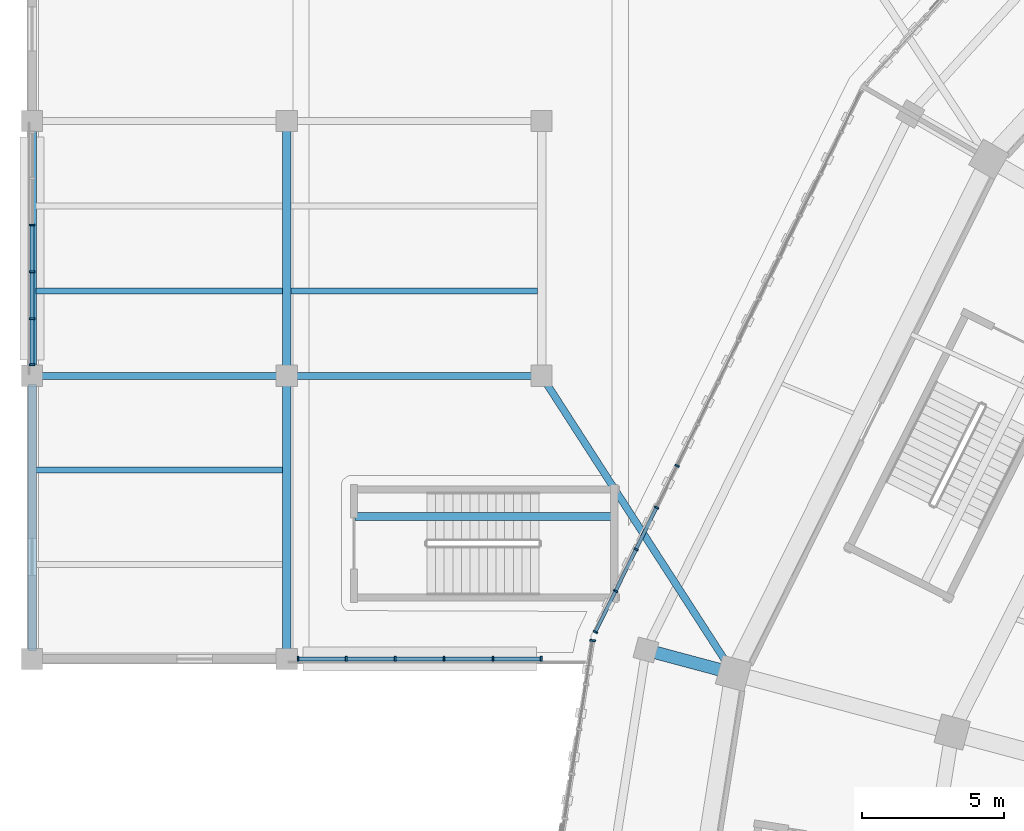
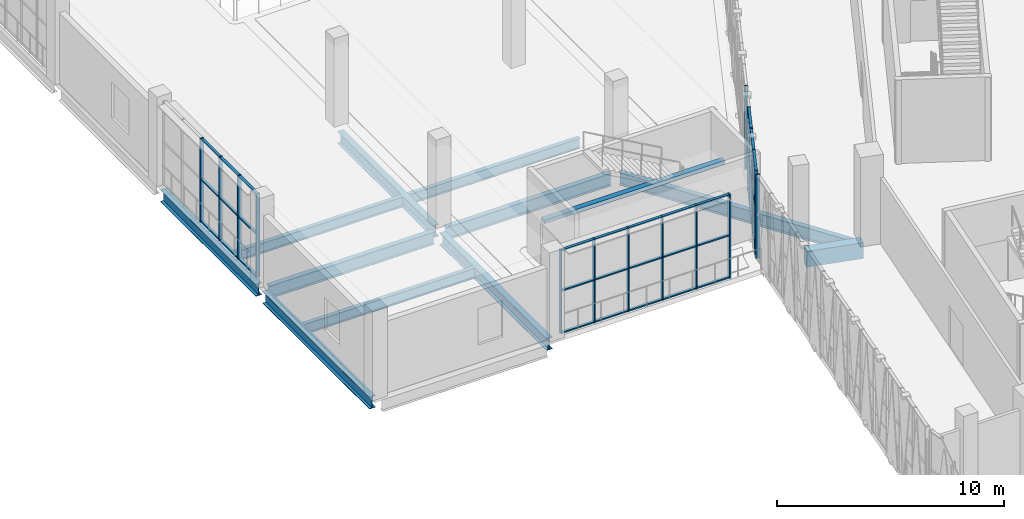
# One storey, part 23 of 179: 49 members, 12 beams, 4 elements without a shape of their own.
"""IFC4 building model written with IfcOpenShell, lengths in metres."""

from ifc_helpers import new_model, si_unit, direction, frame, origin, origin_2d, place, context, subcontext, project, spatial, rectangle, i_section, extrude, material, material_profile, profile_set, type_object, element, aggregate, save


model = new_model("IFC4")

# Units and contexts
model_context = context("Model", 3, precision=1e-05, world=origin(), true_north=direction((0.0, 1.0)))
body_context = subcontext(model_context, "Body", "Model", "MODEL_VIEW")
ifc_project = project(units=[si_unit("LENGTHUNIT", "METRE"), si_unit("AREAUNIT", "SQUARE_METRE"), si_unit("VOLUMEUNIT", "CUBIC_METRE"), si_unit("PLANEANGLEUNIT", "RADIAN"), si_unit("MASSUNIT", "GRAM", prefix="KILO")], contexts=[model_context])

# Site, building, storey
site_placement = place(None, origin())
site = spatial("IfcSite", under=ifc_project, at=site_placement, CompositionType="ELEMENT")
building_placement = place(site_placement, origin())
building = spatial("IfcBuilding", under=site, at=building_placement, Name="Zevraka Park Crest Stadium", CompositionType="ELEMENT")
storey_placement = place(building_placement, frame((0.0, 0.0, 10.199951171875)))
storey = spatial("IfcBuildingStorey", under=building, at=storey_placement, Name="L02", CompositionType="ELEMENT", Elevation=10.199951171875)

# Beams
ifc_material_1 = material(Name="Concrete C40/50", Category="concrete")
ifc_material_profile_1 = material_profile(ifc_material_1, rectangle(XDim=0.449951171875, YDim=0.85009765625, at=origin_2d()), Name="RC 850x450")
ifc_profile_set_1 = profile_set([ifc_material_profile_1], Name="Concrete C40/50")
beam_type_1 = type_object("IfcBeamType", Name="BG03", PredefinedType="BEAM", material=ifc_profile_set_1)
beam_1_placement = place(storey_placement, frame((24.487060546875, 111.56689453125, -0.43505859375), z_axis=(-0.965992888406, 0.258568636051, 0.0), x_axis=(-0.258568636051, -0.965992888406, 0.0)))
element("IfcBeam", 1, at=beam_1_placement, inside=storey, type_object=beam_type_1, Name="Radial Girder BG03 L02-DE-11", PredefinedType="BEAM", context=body_context, shape_type="SweptSolid", body=[
    extrude(rectangle(XDim=0.449951171875, YDim=0.85009765625, at=origin_2d()), origin(), (0.0, 0.0, 1.0), 2.599365234375),
])
ifc_material_2 = material(Name="Steel S355", Category="steel")
ifc_material_profile_2 = material_profile(ifc_material_2, i_section(OverallWidth=0.253662109375, OverallDepth=0.68359375, WebThickness=0.012451171875, FlangeThickness=0.01904296875, at=origin_2d()), Name="UKB 686x254x140")
ifc_profile_set_2 = profile_set([ifc_material_profile_2], Name="Steel S355")
beam_type_2 = type_object("IfcBeamType", Name="BG05", PredefinedType="BEAM", material=ifc_profile_set_2)
for number, where, z_axis, x_axis, name in (
    (2, (0.300048828125, 122.0, -0.629638671875), (1.0, 0.0, 0.0), (0.0, 1.0, 0.0), "Wing Girder BG05 L02-12/P"),
    (3, (9.300048828125, 122.0, -0.629638671875), (1.0, 0.0, 0.0), (0.0, 1.0, 0.0), "Wing Girder BG05 L02-23/P"),
):
    element("IfcBeam", number, at=place(storey_placement, frame(where, z_axis=z_axis, x_axis=x_axis)), inside=storey, type_object=beam_type_2, Name=name, PredefinedType="BEAM", context=body_context, shape_type="SweptSolid", body=[
        extrude(i_section(OverallWidth=0.253662109375, OverallDepth=0.68359375, WebThickness=0.012451171875, FlangeThickness=0.01904296875, at=origin_2d()), origin(), (0.0, 0.0, 1.0), 8.39990234375),
    ])
beam_2_placement = place(storey_placement, frame((18.10791015625, 121.83203125, -0.629638671875), z_axis=(0.541895124662, -0.840446115981, 0.0), x_axis=(0.840446115981, 0.541895124662, 0.0)))
element("IfcBeam", 4, at=beam_2_placement, inside=storey, type_object=beam_type_2, Name="Wing Link Girder BG05 L02-3/P", PredefinedType="BEAM", context=body_context, shape_type="SweptSolid", body=[
    extrude(i_section(OverallWidth=0.253662109375, OverallDepth=0.68359375, WebThickness=0.012451171875, FlangeThickness=0.01904296875, at=origin_2d()), origin(), (0.0, 0.0, 1.0), 11.927001953125),
])
ifc_material_3 = material(Name="Steel S355", Category="steel")
ifc_material_profile_3 = material_profile(ifc_material_3, i_section(OverallWidth=0.300048828125, OverallDepth=0.64990234375, WebThickness=0.01611328125, FlangeThickness=0.031005859375, at=origin_2d()), Name="HEB 650")
ifc_profile_set_3 = profile_set([ifc_material_profile_3], Name="Steel S355")
beam_type_3 = type_object("IfcBeamType", Name="BG07", PredefinedType="BEAM", material=ifc_profile_set_3)
beam_3_placement = place(storey_placement, frame((0.0, 112.300048828125, -0.613037109375), z_axis=(0.0, 1.0, 0.0), x_axis=(-1.0, 0.0, 0.0)))
element("IfcBeam", 5, at=beam_3_placement, inside=storey, type_object=beam_type_3, Name="Wing Girder BG07 L02-1/NP", PredefinedType="BEAM", context=body_context, shape_type="SweptSolid", body=[
    extrude(i_section(OverallWidth=0.300048828125, OverallDepth=0.64990234375, WebThickness=0.01611328125, FlangeThickness=0.031005859375, at=origin_2d()), origin(), (0.0, 0.0, 1.0), 9.39990234375),
])
beam_4_placement = place(storey_placement, frame((0.0, 122.300048828125, -0.613037109375), z_axis=(0.0, 1.0, 0.0), x_axis=(-1.0, 0.0, 0.0)))
element("IfcBeam", 6, at=beam_4_placement, inside=storey, type_object=beam_type_3, Name="Wing Girder BG07 L02-1/PQ", PredefinedType="BEAM", context=body_context, shape_type="SweptSolid", body=[
    extrude(i_section(OverallWidth=0.300048828125, OverallDepth=0.64990234375, WebThickness=0.01611328125, FlangeThickness=0.031005859375, at=origin_2d()), origin(), (0.0, 0.0, 1.0), 8.39990234375),
])
beam_5_placement = place(storey_placement, frame((9.0, 112.300048828125, -0.613037109375), z_axis=(0.0, 1.0, 0.0), x_axis=(-1.0, 0.0, 0.0)))
element("IfcBeam", 7, at=beam_5_placement, inside=storey, type_object=beam_type_3, Name="Wing Girder BG07 L02-2/NP", PredefinedType="BEAM", context=body_context, shape_type="SweptSolid", body=[
    extrude(i_section(OverallWidth=0.300048828125, OverallDepth=0.64990234375, WebThickness=0.01611328125, FlangeThickness=0.031005859375, at=origin_2d()), origin(), (0.0, 0.0, 1.0), 9.39990234375),
])
beam_6_placement = place(storey_placement, frame((9.0, 122.300048828125, -0.613037109375), z_axis=(0.0, 1.0, 0.0), x_axis=(-1.0, 0.0, 0.0)))
element("IfcBeam", 8, at=beam_6_placement, inside=storey, type_object=beam_type_3, Name="Wing Girder BG07 L02-2/PQ", PredefinedType="BEAM", context=body_context, shape_type="SweptSolid", body=[
    extrude(i_section(OverallWidth=0.300048828125, OverallDepth=0.64990234375, WebThickness=0.01611328125, FlangeThickness=0.031005859375, at=origin_2d()), origin(), (0.0, 0.0, 1.0), 8.39990234375),
])

# Curtain wall, members
ifc_material_4 = material(Name="Anodised architectural aluminium and laminated safety glass", Category="aluminium")
curtain_wall_type_1 = type_object("IfcCurtainWallType", Name="CW07", PredefinedType="NOTDEFINED", material=ifc_material_4)
curtain_wall_1_placement = place(storey_placement, origin())
curtain_wall_1 = element("IfcCurtainWall", 9, at=curtain_wall_1_placement, inside=storey, type_object=curtain_wall_type_1, Name="Unitised Ring Curtain Wall CW07 L02-10", PredefinedType="NOTDEFINED")
ifc_material_5 = material(Name="Anodised architectural aluminium", Category="aluminium")
ifc_material_profile_4 = material_profile(ifc_material_5, rectangle(XDim=0.159912109375, YDim=0.06005859375, at=origin_2d()), Name="ALU MULLION 160x60")
ifc_profile_set_4 = profile_set([ifc_material_profile_4], Name="Anodised architectural aluminium")
member_type_1 = type_object("IfcMemberType", Name="CM01", PredefinedType="MULLION", material=ifc_profile_set_4)
member_1_placement = place(storey_placement, frame((22.78564453125, 118.821533203125, 0.0), z_axis=(0.0, 0.0, 1.0), x_axis=(0.897496768201, -0.441021032455, 0.0)))
member_1 = element("IfcMember", 10, at=member_1_placement, type_object=member_type_1, Name="CW07 mullion 10", PredefinedType="MULLION", context=body_context, shape_type="SweptSolid", body=[
    extrude(rectangle(XDim=0.159912109375, YDim=0.06005859375, at=origin_2d()), origin(), (0.0, 0.0, 1.0), 4.5),
])
member_2_placement = place(storey_placement, frame((22.06103515625, 117.347412109375, 0.0), z_axis=(0.0, 0.0, 1.0), x_axis=(0.897496768201, -0.441021032455, 0.0)))
member_2 = element("IfcMember", 11, at=member_2_placement, type_object=member_type_1, Name="CW07 mullion 11", PredefinedType="MULLION", context=body_context, shape_type="SweptSolid", body=[
    extrude(rectangle(XDim=0.159912109375, YDim=0.06005859375, at=origin_2d()), origin(), (0.0, 0.0, 1.0), 4.5),
])
member_3_placement = place(storey_placement, frame((21.336669921875, 115.873291015625, 0.0), z_axis=(0.0, 0.0, 1.0), x_axis=(0.897496768201, -0.441021032455, 0.0)))
member_3 = element("IfcMember", 12, at=member_3_placement, type_object=member_type_1, Name="CW07 mullion 12", PredefinedType="MULLION", context=body_context, shape_type="SweptSolid", body=[
    extrude(rectangle(XDim=0.159912109375, YDim=0.06005859375, at=origin_2d()), origin(), (0.0, 0.0, 1.0), 4.5),
])
member_4_placement = place(storey_placement, frame((20.6123046875, 114.399169921875, 0.0), z_axis=(0.0, 0.0, 1.0), x_axis=(0.897496768201, -0.441021032455, 0.0)))
member_4 = element("IfcMember", 13, at=member_4_placement, type_object=member_type_1, Name="CW07 mullion 13", PredefinedType="MULLION", context=body_context, shape_type="SweptSolid", body=[
    extrude(rectangle(XDim=0.159912109375, YDim=0.06005859375, at=origin_2d()), origin(), (0.0, 0.0, 1.0), 4.5),
])
member_5_placement = place(storey_placement, frame((19.901123046875, 112.951904296875, 0.0), z_axis=(0.0, 0.0, 1.0), x_axis=(0.897496768201, -0.441021032455, 0.0)))
member_5 = element("IfcMember", 14, at=member_5_placement, type_object=member_type_1, Name="CW07 mullion 14", PredefinedType="MULLION", context=body_context, shape_type="SweptSolid", body=[
    extrude(rectangle(XDim=0.159912109375, YDim=0.06005859375, at=origin_2d()), origin(), (0.0, 0.0, 1.0), 4.5),
])

ifc_material_6 = material(Name="Anodised architectural aluminium and laminated safety glass", Category="aluminium")
curtain_wall_type_2 = type_object("IfcCurtainWallType", Name="CW29", PredefinedType="NOTDEFINED", material=ifc_material_6)
curtain_wall_2_placement = place(storey_placement, origin())
curtain_wall_2 = element("IfcCurtainWall", 15, at=curtain_wall_2_placement, inside=storey, type_object=curtain_wall_type_2, Name="Wing Curtain Wall CW29 L02-NW-W-2", PredefinedType="NOTDEFINED")
ifc_material_7 = material(Name="Anodised architectural aluminium", Category="aluminium")
ifc_material_profile_5 = material_profile(ifc_material_7, rectangle(XDim=0.179931640625, YDim=0.06494140625, at=origin_2d()), Name="ALU MULLION 180x65")
ifc_profile_set_5 = profile_set([ifc_material_profile_5], Name="Anodised architectural aluminium")
member_type_2 = type_object("IfcMemberType", Name="CM02", PredefinedType="MULLION", material=ifc_profile_set_5)
member_6_placement = place(storey_placement, frame((0.0, 122.3974609375, 0.0), z_axis=(0.0, 0.0, 1.0), x_axis=(-1.0, 0.0, 0.0)))
member_6 = element("IfcMember", 16, at=member_6_placement, type_object=member_type_2, Name="CW29 mullion 1", PredefinedType="MULLION", context=body_context, shape_type="SweptSolid", body=[
    extrude(rectangle(XDim=0.179931640625, YDim=0.06494140625, at=origin_2d()), origin(), (0.0, 0.0, 1.0), 4.5),
])
member_7_placement = place(storey_placement, frame((0.0, 124.01904296875, 0.0), z_axis=(0.0, 0.0, 1.0), x_axis=(-1.0, 0.0, 0.0)))
member_7 = element("IfcMember", 17, at=member_7_placement, type_object=member_type_2, Name="CW29 mullion 2", PredefinedType="MULLION", context=body_context, shape_type="SweptSolid", body=[
    extrude(rectangle(XDim=0.179931640625, YDim=0.06494140625, at=origin_2d()), origin(), (0.0, 0.0, 1.0), 4.5),
])
member_8_placement = place(storey_placement, frame((0.0, 125.673095703125, 0.0), z_axis=(0.0, 0.0, 1.0), x_axis=(-1.0, 0.0, 0.0)))
member_8 = element("IfcMember", 18, at=member_8_placement, type_object=member_type_2, Name="CW29 mullion 3", PredefinedType="MULLION", context=body_context, shape_type="SweptSolid", body=[
    extrude(rectangle(XDim=0.179931640625, YDim=0.06494140625, at=origin_2d()), origin(), (0.0, 0.0, 1.0), 4.5),
])
member_9_placement = place(storey_placement, frame((0.0, 127.326904296875, 0.0), z_axis=(0.0, 0.0, 1.0), x_axis=(-1.0, 0.0, 0.0)))
member_9 = element("IfcMember", 19, at=member_9_placement, type_object=member_type_2, Name="CW29 mullion 4", PredefinedType="MULLION", context=body_context, shape_type="SweptSolid", body=[
    extrude(rectangle(XDim=0.179931640625, YDim=0.06494140625, at=origin_2d()), origin(), (0.0, 0.0, 1.0), 4.5),
])

curtain_wall_3_placement = place(storey_placement, origin())
curtain_wall_3 = element("IfcCurtainWall", 20, at=curtain_wall_3_placement, inside=storey, type_object=curtain_wall_type_2, Name="Wing Curtain Wall CW29 L02-NW-S0-2", PredefinedType="NOTDEFINED")
member_10_placement = place(storey_placement, frame((17.982421875, 112.0, 0.0), z_axis=(0.0, 0.0, 1.0), x_axis=(0.0, -1.0, 0.0)))
member_10 = element("IfcMember", 21, at=member_10_placement, type_object=member_type_2, Name="CW29 mullion 1", PredefinedType="MULLION", context=body_context, shape_type="SweptSolid", body=[
    extrude(rectangle(XDim=0.179931640625, YDim=0.06494140625, at=origin_2d()), origin(), (0.0, 0.0, 1.0), 4.5),
])
member_11_placement = place(storey_placement, frame((16.284912109375, 112.0, 0.0), z_axis=(0.0, 0.0, 1.0), x_axis=(0.0, -1.0, 0.0)))
member_11 = element("IfcMember", 22, at=member_11_placement, type_object=member_type_2, Name="CW29 mullion 2", PredefinedType="MULLION", context=body_context, shape_type="SweptSolid", body=[
    extrude(rectangle(XDim=0.179931640625, YDim=0.06494140625, at=origin_2d()), origin(), (0.0, 0.0, 1.0), 4.5),
])
member_12_placement = place(storey_placement, frame((14.554931640625, 112.0, 0.0), z_axis=(0.0, 0.0, 1.0), x_axis=(0.0, -1.0, 0.0)))
member_12 = element("IfcMember", 23, at=member_12_placement, type_object=member_type_2, Name="CW29 mullion 3", PredefinedType="MULLION", context=body_context, shape_type="SweptSolid", body=[
    extrude(rectangle(XDim=0.179931640625, YDim=0.06494140625, at=origin_2d()), origin(), (0.0, 0.0, 1.0), 4.5),
])
member_13_placement = place(storey_placement, frame((12.824951171875, 112.0, 0.0), z_axis=(0.0, 0.0, 1.0), x_axis=(0.0, -1.0, 0.0)))
member_13 = element("IfcMember", 24, at=member_13_placement, type_object=member_type_2, Name="CW29 mullion 4", PredefinedType="MULLION", context=body_context, shape_type="SweptSolid", body=[
    extrude(rectangle(XDim=0.179931640625, YDim=0.06494140625, at=origin_2d()), origin(), (0.0, 0.0, 1.0), 4.5),
])
member_14_placement = place(storey_placement, frame((11.094970703125, 112.0, 0.0), z_axis=(0.0, 0.0, 1.0), x_axis=(0.0, -1.0, 0.0)))
member_14 = element("IfcMember", 25, at=member_14_placement, type_object=member_type_2, Name="CW29 mullion 5", PredefinedType="MULLION", context=body_context, shape_type="SweptSolid", body=[
    extrude(rectangle(XDim=0.179931640625, YDim=0.06494140625, at=origin_2d()), origin(), (0.0, 0.0, 1.0), 4.5),
])
member_15_placement = place(storey_placement, frame((9.3974609375, 112.0, 0.0), z_axis=(0.0, 0.0, 1.0), x_axis=(0.0, -1.0, 0.0)))
member_15 = element("IfcMember", 26, at=member_15_placement, type_object=member_type_2, Name="CW29 mullion 6", PredefinedType="MULLION", context=body_context, shape_type="SweptSolid", body=[
    extrude(rectangle(XDim=0.179931640625, YDim=0.06494140625, at=origin_2d()), origin(), (0.0, 0.0, 1.0), 4.5),
])

# Curtain wall, member
ifc_material_8 = material(Name="Anodised architectural aluminium and laminated safety glass", Category="aluminium")
curtain_wall_type_3 = type_object("IfcCurtainWallType", Name="CW06", PredefinedType="NOTDEFINED", material=ifc_material_8)
curtain_wall_4_placement = place(storey_placement, origin())
curtain_wall_4 = element("IfcCurtainWall", 27, at=curtain_wall_4_placement, inside=storey, type_object=curtain_wall_type_3, Name="Unitised Ring Curtain Wall CW06 L02-11", PredefinedType="NOTDEFINED")
ifc_material_9 = material(Name="Anodised architectural aluminium", Category="aluminium")
ifc_material_profile_6 = material_profile(ifc_material_9, rectangle(XDim=0.199951171875, YDim=0.070068359375, at=origin_2d()), Name="ALU MULLION 200x70")
ifc_profile_set_6 = profile_set([ifc_material_profile_6], Name="Anodised architectural aluminium")
member_type_3 = type_object("IfcMemberType", Name="CM03", PredefinedType="MULLION", material=ifc_profile_set_6)
member_16_placement = place(storey_placement, frame((19.8056640625, 112.6494140625, 0.0), z_axis=(0.0, 0.0, 1.0), x_axis=(0.988028063865, -0.154274252598, 0.0)))
member_16 = element("IfcMember", 28, at=member_16_placement, type_object=member_type_3, Name="CW06 mullion 1", PredefinedType="MULLION", context=body_context, shape_type="SweptSolid", body=[
    extrude(rectangle(XDim=0.199951171875, YDim=0.070068359375, at=origin_2d()), origin(), (0.0, 0.0, 1.0), 4.5),
])
aggregate(curtain_wall_4, [member_16])

# Member
ifc_material_10 = material(Name="Anodised architectural aluminium", Category="aluminium")
ifc_material_profile_7 = material_profile(ifc_material_10, rectangle(XDim=0.1201171875, YDim=0.06005859375, at=origin_2d()), Name="ALU TRANSOM 120x60")
ifc_profile_set_7 = profile_set([ifc_material_profile_7], Name="Anodised architectural aluminium")
member_type_4 = type_object("IfcMemberType", Name="CT01", PredefinedType="USERDEFINED", material=ifc_profile_set_7)
member_17_placement = place(storey_placement, frame((22.0478515625, 117.320556640625, 0.030029296875), z_axis=(-0.440908240413, -0.897552184297, 0.0), x_axis=(0.897552184297, -0.440908240413, 0.0)))
member_17 = element("IfcMember", 29, at=member_17_placement, type_object=member_type_4, Name="CW07 transom 11.1", ObjectType="TRANSOM", PredefinedType="USERDEFINED", context=body_context, shape_type="SweptSolid", body=[
    extrude(rectangle(XDim=0.1201171875, YDim=0.06005859375, at=origin_2d()), origin(), (0.0, 0.0, 1.0), 1.58251953125),
])

member_18_placement = place(storey_placement, frame((22.0478515625, 117.320556640625, 2.400146484375), z_axis=(-0.440908240413, -0.897552184297, 0.0), x_axis=(0.897552184297, -0.440908240413, 0.0)))
member_18 = element("IfcMember", 30, at=member_18_placement, type_object=member_type_4, Name="CW07 transom 11.2", ObjectType="TRANSOM", PredefinedType="USERDEFINED", context=body_context, shape_type="SweptSolid", body=[
    extrude(rectangle(XDim=0.1201171875, YDim=0.06005859375, at=origin_2d()), origin(), (0.0, 0.0, 1.0), 1.58251953125),
])

member_19_placement = place(storey_placement, frame((22.0478515625, 117.320556640625, 4.469970703125), z_axis=(-0.440908240413, -0.897552184297, 0.0), x_axis=(0.897552184297, -0.440908240413, 0.0)))
member_19 = element("IfcMember", 31, at=member_19_placement, type_object=member_type_4, Name="CW07 transom 11.3", ObjectType="TRANSOM", PredefinedType="USERDEFINED", context=body_context, shape_type="SweptSolid", body=[
    extrude(rectangle(XDim=0.1201171875, YDim=0.06005859375, at=origin_2d()), origin(), (0.0, 0.0, 1.0), 1.58251953125),
])

member_20_placement = place(storey_placement, frame((21.323486328125, 115.846435546875, 0.030029296875), z_axis=(-0.440908240413, -0.897552184297, 0.0), x_axis=(0.897552184297, -0.440908240413, 0.0)))
member_20 = element("IfcMember", 32, at=member_20_placement, type_object=member_type_4, Name="CW07 transom 12.1", ObjectType="TRANSOM", PredefinedType="USERDEFINED", context=body_context, shape_type="SweptSolid", body=[
    extrude(rectangle(XDim=0.1201171875, YDim=0.06005859375, at=origin_2d()), origin(), (0.0, 0.0, 1.0), 1.58251953125),
])

member_21_placement = place(storey_placement, frame((21.323486328125, 115.846435546875, 2.400146484375), z_axis=(-0.440908240413, -0.897552184297, 0.0), x_axis=(0.897552184297, -0.440908240413, 0.0)))
member_21 = element("IfcMember", 33, at=member_21_placement, type_object=member_type_4, Name="CW07 transom 12.2", ObjectType="TRANSOM", PredefinedType="USERDEFINED", context=body_context, shape_type="SweptSolid", body=[
    extrude(rectangle(XDim=0.1201171875, YDim=0.06005859375, at=origin_2d()), origin(), (0.0, 0.0, 1.0), 1.58251953125),
])

member_22_placement = place(storey_placement, frame((21.323486328125, 115.846435546875, 4.469970703125), z_axis=(-0.440908240413, -0.897552184297, 0.0), x_axis=(0.897552184297, -0.440908240413, 0.0)))
member_22 = element("IfcMember", 34, at=member_22_placement, type_object=member_type_4, Name="CW07 transom 12.3", ObjectType="TRANSOM", PredefinedType="USERDEFINED", context=body_context, shape_type="SweptSolid", body=[
    extrude(rectangle(XDim=0.1201171875, YDim=0.06005859375, at=origin_2d()), origin(), (0.0, 0.0, 1.0), 1.58251953125),
])

member_23_placement = place(storey_placement, frame((20.59912109375, 114.372314453125, 0.030029296875), z_axis=(-0.440912769213, -0.897549959582, 0.0), x_axis=(0.897549959582, -0.440912769213, 0.0)))
member_23 = element("IfcMember", 35, at=member_23_placement, type_object=member_type_4, Name="CW07 transom 13.1", ObjectType="TRANSOM", PredefinedType="USERDEFINED", context=body_context, shape_type="SweptSolid", body=[
    extrude(rectangle(XDim=0.1201171875, YDim=0.06005859375, at=origin_2d()), origin(), (0.0, 0.0, 1.0), 1.552734375),
])

member_24_placement = place(storey_placement, frame((20.59912109375, 114.372314453125, 2.400146484375), z_axis=(-0.440912769213, -0.897549959582, 0.0), x_axis=(0.897549959582, -0.440912769213, 0.0)))
member_24 = element("IfcMember", 36, at=member_24_placement, type_object=member_type_4, Name="CW07 transom 13.2", ObjectType="TRANSOM", PredefinedType="USERDEFINED", context=body_context, shape_type="SweptSolid", body=[
    extrude(rectangle(XDim=0.1201171875, YDim=0.06005859375, at=origin_2d()), origin(), (0.0, 0.0, 1.0), 1.552734375),
])

member_25_placement = place(storey_placement, frame((20.59912109375, 114.372314453125, 4.469970703125), z_axis=(-0.440912769213, -0.897549959582, 0.0), x_axis=(0.897549959582, -0.440912769213, 0.0)))
member_25 = element("IfcMember", 37, at=member_25_placement, type_object=member_type_4, Name="CW07 transom 13.3", ObjectType="TRANSOM", PredefinedType="USERDEFINED", context=body_context, shape_type="SweptSolid", body=[
    extrude(rectangle(XDim=0.1201171875, YDim=0.06005859375, at=origin_2d()), origin(), (0.0, 0.0, 1.0), 1.552734375),
])

aggregate(curtain_wall_1, [member_1, member_2, member_3, member_4, member_5, member_17, member_18, member_19, member_20, member_21, member_22, member_23, member_24, member_25])

ifc_material_11 = material(Name="Anodised architectural aluminium", Category="aluminium")
ifc_material_profile_8 = material_profile(ifc_material_11, rectangle(XDim=0.139892578125, YDim=0.06494140625, at=origin_2d()), Name="ALU TRANSOM 140x65")
ifc_profile_set_8 = profile_set([ifc_material_profile_8], Name="Anodised architectural aluminium")
member_type_5 = type_object("IfcMemberType", Name="CT02", PredefinedType="USERDEFINED", material=ifc_profile_set_8)
member_26_placement = place(storey_placement, frame((0.0, 122.429931640625, 0.032470703125), z_axis=(0.0, 1.0, 0.0), x_axis=(-1.0, 0.0, 0.0)))
member_26 = element("IfcMember", 38, at=member_26_placement, type_object=member_type_5, Name="CW29 transom 1.1", ObjectType="TRANSOM", PredefinedType="USERDEFINED", context=body_context, shape_type="SweptSolid", body=[
    extrude(rectangle(XDim=0.139892578125, YDim=0.06494140625, at=origin_2d()), origin(), (0.0, 0.0, 1.0), 1.556640625),
])

member_27_placement = place(storey_placement, frame((0.0, 122.429931640625, 2.300048828125), z_axis=(0.0, 1.0, 0.0), x_axis=(-1.0, 0.0, 0.0)))
member_27 = element("IfcMember", 39, at=member_27_placement, type_object=member_type_5, Name="CW29 transom 1.2", ObjectType="TRANSOM", PredefinedType="USERDEFINED", context=body_context, shape_type="SweptSolid", body=[
    extrude(rectangle(XDim=0.139892578125, YDim=0.06494140625, at=origin_2d()), origin(), (0.0, 0.0, 1.0), 1.556640625),
])

member_28_placement = place(storey_placement, frame((0.0, 122.429931640625, 4.467529296875), z_axis=(0.0, 1.0, 0.0), x_axis=(-1.0, 0.0, 0.0)))
member_28 = element("IfcMember", 40, at=member_28_placement, type_object=member_type_5, Name="CW29 transom 1.3", ObjectType="TRANSOM", PredefinedType="USERDEFINED", context=body_context, shape_type="SweptSolid", body=[
    extrude(rectangle(XDim=0.139892578125, YDim=0.06494140625, at=origin_2d()), origin(), (0.0, 0.0, 1.0), 1.556640625),
])

member_29_placement = place(storey_placement, frame((0.0, 124.051513671875, 0.032470703125), z_axis=(0.0, 1.0, 0.0), x_axis=(-1.0, 0.0, 0.0)))
member_29 = element("IfcMember", 41, at=member_29_placement, type_object=member_type_5, Name="CW29 transom 2.1", ObjectType="TRANSOM", PredefinedType="USERDEFINED", context=body_context, shape_type="SweptSolid", body=[
    extrude(rectangle(XDim=0.139892578125, YDim=0.06494140625, at=origin_2d()), origin(), (0.0, 0.0, 1.0), 1.5888671875),
])

member_30_placement = place(storey_placement, frame((0.0, 124.051513671875, 2.300048828125), z_axis=(0.0, 1.0, 0.0), x_axis=(-1.0, 0.0, 0.0)))
member_30 = element("IfcMember", 42, at=member_30_placement, type_object=member_type_5, Name="CW29 transom 2.2", ObjectType="TRANSOM", PredefinedType="USERDEFINED", context=body_context, shape_type="SweptSolid", body=[
    extrude(rectangle(XDim=0.139892578125, YDim=0.06494140625, at=origin_2d()), origin(), (0.0, 0.0, 1.0), 1.5888671875),
])

member_31_placement = place(storey_placement, frame((0.0, 124.051513671875, 4.467529296875), z_axis=(0.0, 1.0, 0.0), x_axis=(-1.0, 0.0, 0.0)))
member_31 = element("IfcMember", 43, at=member_31_placement, type_object=member_type_5, Name="CW29 transom 2.3", ObjectType="TRANSOM", PredefinedType="USERDEFINED", context=body_context, shape_type="SweptSolid", body=[
    extrude(rectangle(XDim=0.139892578125, YDim=0.06494140625, at=origin_2d()), origin(), (0.0, 0.0, 1.0), 1.5888671875),
])

member_32_placement = place(storey_placement, frame((0.0, 125.70556640625, 0.032470703125), z_axis=(0.0, 1.0, 0.0), x_axis=(-1.0, 0.0, 0.0)))
member_32 = element("IfcMember", 44, at=member_32_placement, type_object=member_type_5, Name="CW29 transom 3.1", ObjectType="TRANSOM", PredefinedType="USERDEFINED", context=body_context, shape_type="SweptSolid", body=[
    extrude(rectangle(XDim=0.139892578125, YDim=0.06494140625, at=origin_2d()), origin(), (0.0, 0.0, 1.0), 1.5888671875),
])

member_33_placement = place(storey_placement, frame((0.0, 125.70556640625, 2.300048828125), z_axis=(0.0, 1.0, 0.0), x_axis=(-1.0, 0.0, 0.0)))
member_33 = element("IfcMember", 45, at=member_33_placement, type_object=member_type_5, Name="CW29 transom 3.2", ObjectType="TRANSOM", PredefinedType="USERDEFINED", context=body_context, shape_type="SweptSolid", body=[
    extrude(rectangle(XDim=0.139892578125, YDim=0.06494140625, at=origin_2d()), origin(), (0.0, 0.0, 1.0), 1.5888671875),
])

member_34_placement = place(storey_placement, frame((0.0, 125.70556640625, 4.467529296875), z_axis=(0.0, 1.0, 0.0), x_axis=(-1.0, 0.0, 0.0)))
member_34 = element("IfcMember", 46, at=member_34_placement, type_object=member_type_5, Name="CW29 transom 3.3", ObjectType="TRANSOM", PredefinedType="USERDEFINED", context=body_context, shape_type="SweptSolid", body=[
    extrude(rectangle(XDim=0.139892578125, YDim=0.06494140625, at=origin_2d()), origin(), (0.0, 0.0, 1.0), 1.5888671875),
])

aggregate(curtain_wall_2, [member_6, member_7, member_8, member_9, member_26, member_27, member_28, member_29, member_30, member_31, member_32, member_33, member_34])

member_35_placement = place(storey_placement, frame((17.949951171875, 112.0, 0.032470703125), z_axis=(-1.0, 0.0, 0.0), x_axis=(0.0, -1.0, 0.0)))
member_35 = element("IfcMember", 47, at=member_35_placement, type_object=member_type_5, Name="CW29 transom 1.1", ObjectType="TRANSOM", PredefinedType="USERDEFINED", context=body_context, shape_type="SweptSolid", body=[
    extrude(rectangle(XDim=0.139892578125, YDim=0.06494140625, at=origin_2d()), origin(), (0.0, 0.0, 1.0), 1.632568359375),
])

member_36_placement = place(storey_placement, frame((17.949951171875, 112.0, 2.300048828125), z_axis=(-1.0, 0.0, 0.0), x_axis=(0.0, -1.0, 0.0)))
member_36 = element("IfcMember", 48, at=member_36_placement, type_object=member_type_5, Name="CW29 transom 1.2", ObjectType="TRANSOM", PredefinedType="USERDEFINED", context=body_context, shape_type="SweptSolid", body=[
    extrude(rectangle(XDim=0.139892578125, YDim=0.06494140625, at=origin_2d()), origin(), (0.0, 0.0, 1.0), 1.632568359375),
])

member_37_placement = place(storey_placement, frame((17.949951171875, 112.0, 4.467529296875), z_axis=(-1.0, 0.0, 0.0), x_axis=(0.0, -1.0, 0.0)))
member_37 = element("IfcMember", 49, at=member_37_placement, type_object=member_type_5, Name="CW29 transom 1.3", ObjectType="TRANSOM", PredefinedType="USERDEFINED", context=body_context, shape_type="SweptSolid", body=[
    extrude(rectangle(XDim=0.139892578125, YDim=0.06494140625, at=origin_2d()), origin(), (0.0, 0.0, 1.0), 1.632568359375),
])

member_38_placement = place(storey_placement, frame((16.25244140625, 112.0, 0.032470703125), z_axis=(-1.0, 0.0, 0.0), x_axis=(0.0, -1.0, 0.0)))
member_38 = element("IfcMember", 50, at=member_38_placement, type_object=member_type_5, Name="CW29 transom 2.1", ObjectType="TRANSOM", PredefinedType="USERDEFINED", context=body_context, shape_type="SweptSolid", body=[
    extrude(rectangle(XDim=0.139892578125, YDim=0.06494140625, at=origin_2d()), origin(), (0.0, 0.0, 1.0), 1.6650390625),
])

member_39_placement = place(storey_placement, frame((16.25244140625, 112.0, 2.300048828125), z_axis=(-1.0, 0.0, 0.0), x_axis=(0.0, -1.0, 0.0)))
member_39 = element("IfcMember", 51, at=member_39_placement, type_object=member_type_5, Name="CW29 transom 2.2", ObjectType="TRANSOM", PredefinedType="USERDEFINED", context=body_context, shape_type="SweptSolid", body=[
    extrude(rectangle(XDim=0.139892578125, YDim=0.06494140625, at=origin_2d()), origin(), (0.0, 0.0, 1.0), 1.6650390625),
])

member_40_placement = place(storey_placement, frame((16.25244140625, 112.0, 4.467529296875), z_axis=(-1.0, 0.0, 0.0), x_axis=(0.0, -1.0, 0.0)))
member_40 = element("IfcMember", 52, at=member_40_placement, type_object=member_type_5, Name="CW29 transom 2.3", ObjectType="TRANSOM", PredefinedType="USERDEFINED", context=body_context, shape_type="SweptSolid", body=[
    extrude(rectangle(XDim=0.139892578125, YDim=0.06494140625, at=origin_2d()), origin(), (0.0, 0.0, 1.0), 1.6650390625),
])

member_41_placement = place(storey_placement, frame((14.5224609375, 112.0, 0.032470703125), z_axis=(-1.0, 0.0, 0.0), x_axis=(0.0, -1.0, 0.0)))
member_41 = element("IfcMember", 53, at=member_41_placement, type_object=member_type_5, Name="CW29 transom 3.1", ObjectType="TRANSOM", PredefinedType="USERDEFINED", context=body_context, shape_type="SweptSolid", body=[
    extrude(rectangle(XDim=0.139892578125, YDim=0.06494140625, at=origin_2d()), origin(), (0.0, 0.0, 1.0), 1.6650390625),
])

member_42_placement = place(storey_placement, frame((14.5224609375, 112.0, 2.300048828125), z_axis=(-1.0, 0.0, 0.0), x_axis=(0.0, -1.0, 0.0)))
member_42 = element("IfcMember", 54, at=member_42_placement, type_object=member_type_5, Name="CW29 transom 3.2", ObjectType="TRANSOM", PredefinedType="USERDEFINED", context=body_context, shape_type="SweptSolid", body=[
    extrude(rectangle(XDim=0.139892578125, YDim=0.06494140625, at=origin_2d()), origin(), (0.0, 0.0, 1.0), 1.6650390625),
])

member_43_placement = place(storey_placement, frame((14.5224609375, 112.0, 4.467529296875), z_axis=(-1.0, 0.0, 0.0), x_axis=(0.0, -1.0, 0.0)))
member_43 = element("IfcMember", 55, at=member_43_placement, type_object=member_type_5, Name="CW29 transom 3.3", ObjectType="TRANSOM", PredefinedType="USERDEFINED", context=body_context, shape_type="SweptSolid", body=[
    extrude(rectangle(XDim=0.139892578125, YDim=0.06494140625, at=origin_2d()), origin(), (0.0, 0.0, 1.0), 1.6650390625),
])

member_44_placement = place(storey_placement, frame((12.79248046875, 112.0, 0.032470703125), z_axis=(-1.0, 0.0, 0.0), x_axis=(0.0, -1.0, 0.0)))
member_44 = element("IfcMember", 56, at=member_44_placement, type_object=member_type_5, Name="CW29 transom 4.1", ObjectType="TRANSOM", PredefinedType="USERDEFINED", context=body_context, shape_type="SweptSolid", body=[
    extrude(rectangle(XDim=0.139892578125, YDim=0.06494140625, at=origin_2d()), origin(), (0.0, 0.0, 1.0), 1.6650390625),
])

member_45_placement = place(storey_placement, frame((12.79248046875, 112.0, 2.300048828125), z_axis=(-1.0, 0.0, 0.0), x_axis=(0.0, -1.0, 0.0)))
member_45 = element("IfcMember", 57, at=member_45_placement, type_object=member_type_5, Name="CW29 transom 4.2", ObjectType="TRANSOM", PredefinedType="USERDEFINED", context=body_context, shape_type="SweptSolid", body=[
    extrude(rectangle(XDim=0.139892578125, YDim=0.06494140625, at=origin_2d()), origin(), (0.0, 0.0, 1.0), 1.6650390625),
])

member_46_placement = place(storey_placement, frame((12.79248046875, 112.0, 4.467529296875), z_axis=(-1.0, 0.0, 0.0), x_axis=(0.0, -1.0, 0.0)))
member_46 = element("IfcMember", 58, at=member_46_placement, type_object=member_type_5, Name="CW29 transom 4.3", ObjectType="TRANSOM", PredefinedType="USERDEFINED", context=body_context, shape_type="SweptSolid", body=[
    extrude(rectangle(XDim=0.139892578125, YDim=0.06494140625, at=origin_2d()), origin(), (0.0, 0.0, 1.0), 1.6650390625),
])

member_47_placement = place(storey_placement, frame((11.0625, 112.0, 0.032470703125), z_axis=(-1.0, 0.0, 0.0), x_axis=(0.0, -1.0, 0.0)))
member_47 = element("IfcMember", 59, at=member_47_placement, type_object=member_type_5, Name="CW29 transom 5.1", ObjectType="TRANSOM", PredefinedType="USERDEFINED", context=body_context, shape_type="SweptSolid", body=[
    extrude(rectangle(XDim=0.139892578125, YDim=0.06494140625, at=origin_2d()), origin(), (0.0, 0.0, 1.0), 1.632568359375),
])

member_48_placement = place(storey_placement, frame((11.0625, 112.0, 2.300048828125), z_axis=(-1.0, 0.0, 0.0), x_axis=(0.0, -1.0, 0.0)))
member_48 = element("IfcMember", 60, at=member_48_placement, type_object=member_type_5, Name="CW29 transom 5.2", ObjectType="TRANSOM", PredefinedType="USERDEFINED", context=body_context, shape_type="SweptSolid", body=[
    extrude(rectangle(XDim=0.139892578125, YDim=0.06494140625, at=origin_2d()), origin(), (0.0, 0.0, 1.0), 1.632568359375),
])

member_49_placement = place(storey_placement, frame((11.0625, 112.0, 4.467529296875), z_axis=(-1.0, 0.0, 0.0), x_axis=(0.0, -1.0, 0.0)))
member_49 = element("IfcMember", 61, at=member_49_placement, type_object=member_type_5, Name="CW29 transom 5.3", ObjectType="TRANSOM", PredefinedType="USERDEFINED", context=body_context, shape_type="SweptSolid", body=[
    extrude(rectangle(XDim=0.139892578125, YDim=0.06494140625, at=origin_2d()), origin(), (0.0, 0.0, 1.0), 1.632568359375),
])

aggregate(curtain_wall_3, [member_10, member_11, member_12, member_13, member_14, member_15, member_35, member_36, member_37, member_38, member_39, member_40, member_41, member_42, member_43, member_44, member_45, member_46, member_47, member_48, member_49])

# Beams
ifc_material_12 = material(Name="Steel S355", Category="steel")
ifc_material_profile_9 = material_profile(ifc_material_12, i_section(OverallWidth=0.2099609375, OverallDepth=0.550048828125, WebThickness=0.010986328125, FlangeThickness=0.01708984375, at=origin_2d()), Name="IPE 550")
ifc_profile_set_9 = profile_set([ifc_material_profile_9], Name="Steel S355")
beam_type_4 = type_object("IfcBeamType", Name="SJ04", PredefinedType="JOIST", material=ifc_profile_set_9)
for number, where, z_axis, x_axis, name in (
    (62, (0.14501953125, 118.6669921875, -0.56494140625), (1.0, 0.0, 0.0), (0.0, 1.0, 0.0), "Wing Joist SJ04 L02-1/N-2"),
    (63, (0.14501953125, 125.0, -0.56494140625), (1.0, 0.0, 0.0), (0.0, 1.0, 0.0), "Wing Joist SJ04 L02-1/P-1"),
    (64, (9.14501953125, 125.0, -0.56494140625), (1.0, 0.0, 0.0), (0.0, 1.0, 0.0), "Wing Joist SJ04 L02-2/P-1"),
):
    element("IfcBeam", number, at=place(storey_placement, frame(where, z_axis=z_axis, x_axis=x_axis)), inside=storey, type_object=beam_type_4, Name=name, PredefinedType="JOIST", context=body_context, shape_type="SweptSolid", body=[
        extrude(i_section(OverallWidth=0.2099609375, OverallDepth=0.550048828125, WebThickness=0.010986328125, FlangeThickness=0.01708984375, at=origin_2d()), origin(), (0.0, 0.0, 1.0), 8.7099609375),
    ])
ifc_material_13 = material(Name="Concrete C40/50", Category="concrete")
ifc_material_profile_10 = material_profile(ifc_material_13, rectangle(XDim=0.280029296875, YDim=0.199951171875, at=origin_2d()), Name="RC 200x280")
ifc_profile_set_10 = profile_set([ifc_material_profile_10], Name="Concrete C40/50")
beam_type_5 = type_object("IfcBeamType", Name="SJ13", PredefinedType="JOIST", material=ifc_profile_set_10)
beam_7_placement = place(storey_placement, frame((11.39990234375, 117.034912109375, 2.300048828125), z_axis=(1.0, 0.0, 0.0), x_axis=(0.0, 1.0, 0.0)))
element("IfcBeam", 65, at=beam_7_placement, inside=storey, type_object=beam_type_5, Name="Stair Upper-Flight Longitudinal Stringer SJ13 ST48-L02", PredefinedType="JOIST", context=body_context, shape_type="SweptSolid", body=[
    extrude(rectangle(XDim=0.280029296875, YDim=0.199951171875, at=origin_2d()), origin(), (0.0, 0.0, 1.0), 9.2001953125),
])

save(model, "model.ifc")
